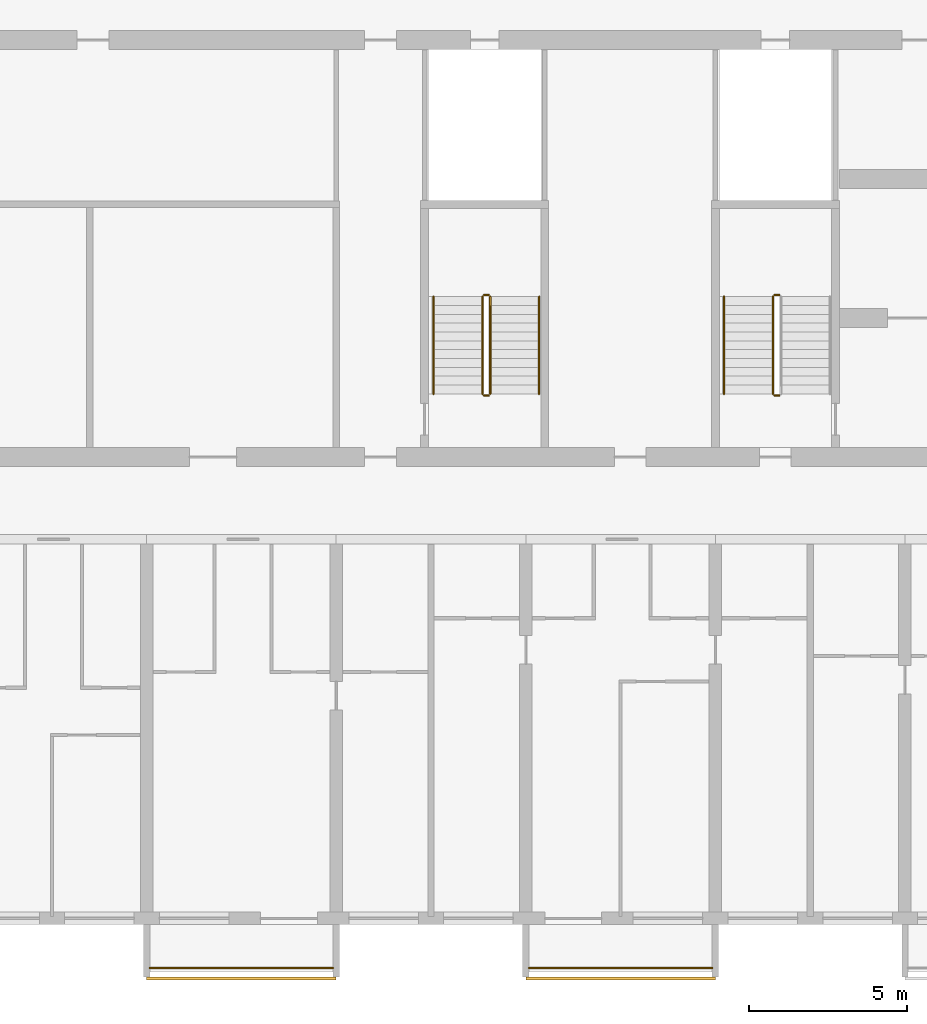
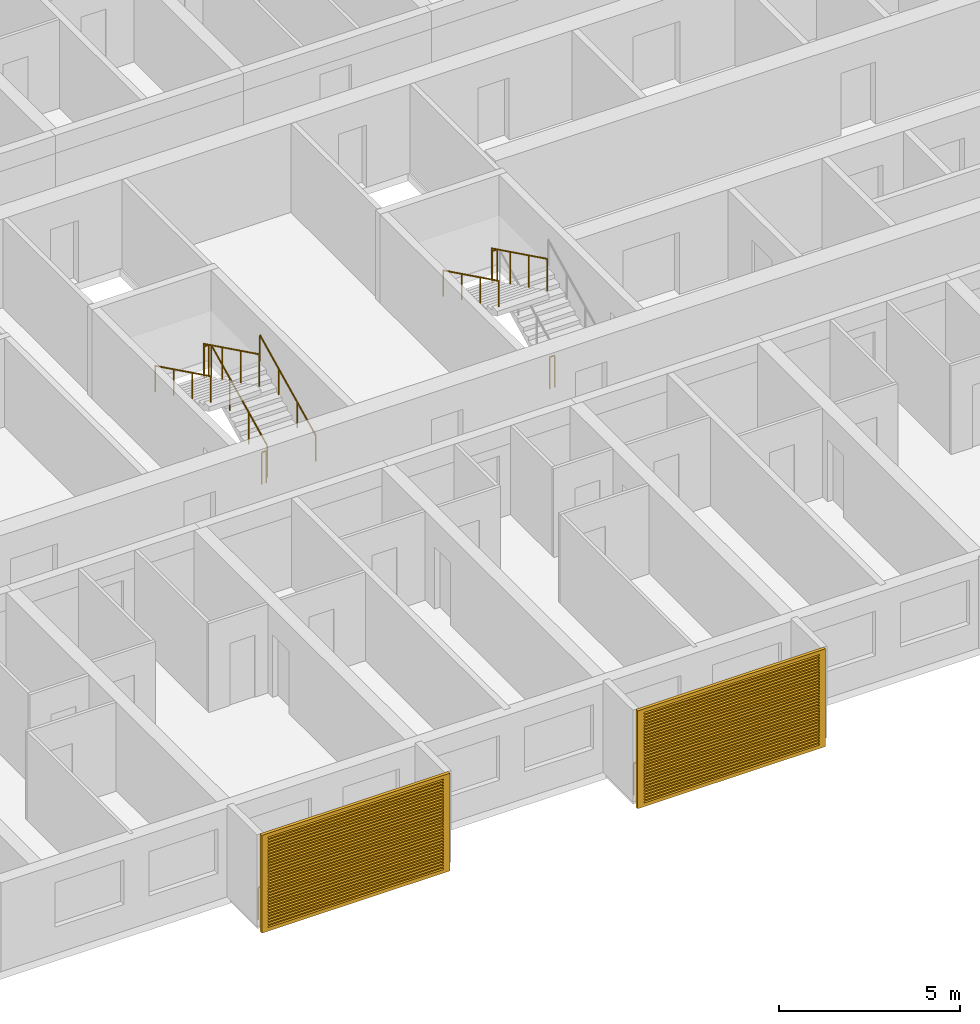
# One storey, part 19 of 38: 12 railings, 2 shading devices.
"""IFC4 building model written with IfcOpenShell, lengths in metres."""

from ifc_helpers import new_model, si_unit, direction, frame, origin, origin_2d, place, context, subcontext, project, spatial, polyline, circle, outline, extrude, source, transform, mapped, material, material_profile, profile_set, type_object, element, save


model = new_model("IFC4")

# Units and contexts
model_context = context("Model", 3, precision=1e-05, world=origin(), true_north=direction((0.0, 1.0)))
body_context = subcontext(model_context, "Body", "Model", "MODEL_VIEW")
ifc_project = project(units=[si_unit("LENGTHUNIT", "METRE"), si_unit("AREAUNIT", "SQUARE_METRE"), si_unit("VOLUMEUNIT", "CUBIC_METRE"), si_unit("PLANEANGLEUNIT", "RADIAN"), si_unit("MASSUNIT", "GRAM", prefix="KILO")], contexts=[model_context])

# Site, building, storey
site_placement = place(None, origin())
site = spatial("IfcSite", under=ifc_project, at=site_placement, CompositionType="ELEMENT")
building_placement = place(site_placement, origin())
building = spatial("IfcBuilding", under=site, at=building_placement, Name="Poui Terraces", CompositionType="ELEMENT")
storey_placement = place(building_placement, frame((0.0, 0.0, 49.800048828125)))
storey = spatial("IfcBuildingStorey", under=building, at=storey_placement, Name="L13", CompositionType="ELEMENT", Elevation=49.800048828125)

# Railings
ifc_material_1 = material(Name="Painted steel fretwork", Category="steel")
railing_type_1 = type_object("IfcRailingType", Name="BALCONY GUARD 1100", PredefinedType="GUARDRAIL", material=ifc_material_1)
for number, where, name in (
    (1, (12.10009765625, -1.570068359375, 0.0), "BALCONY GUARD"),
    (2, (24.10009765625, -1.570068359375, 0.0), "BALCONY GUARD"),
):
    element("IfcRailing", number, at=place(storey_placement, frame(where)), inside=storey, type_object=railing_type_1, Name=name, PredefinedType="GUARDRAIL", context=body_context, shape_type="SweptSolid", body=[
        extrude(circle(Radius=0.02392578125, at=origin_2d()), frame((0.0, 0.0, 1.076171875), z_axis=(1.0, 0.0, 0.0), x_axis=(0.0, 1.0, 0.0)), (0.0, 0.0, 1.0), 5.7998046875),
        extrude(circle(Radius=0.02099609375, at=origin_2d()), origin(), (0.0, 0.0, 1.0), 1.052001953125),
        extrude(circle(Radius=0.02099609375, at=origin_2d()), frame((0.966552734375, 0.0, 0.0)), (0.0, 0.0, 1.0), 1.052001953125),
        extrude(circle(Radius=0.02099609375, at=origin_2d()), frame((1.933349609375, 0.0, 0.0)), (0.0, 0.0, 1.0), 1.052001953125),
        extrude(circle(Radius=0.02099609375, at=origin_2d()), frame((2.89990234375, 0.0, 0.0)), (0.0, 0.0, 1.0), 1.052001953125),
        extrude(circle(Radius=0.02099609375, at=origin_2d()), frame((3.866455078125, 0.0, 0.0)), (0.0, 0.0, 1.0), 1.052001953125),
        extrude(circle(Radius=0.02099609375, at=origin_2d()), frame((4.833251953125, 0.0, 0.0)), (0.0, 0.0, 1.0), 1.052001953125),
        extrude(circle(Radius=0.02099609375, at=origin_2d()), frame((5.7998046875, 0.0, 0.0)), (0.0, 0.0, 1.0), 1.052001953125),
    ])
ifc_material_2 = material(Name="Galvanised steel balustrade", Category="steel")
railing_type_2 = type_object("IfcRailingType", Name="STAIR GUARD 1100", PredefinedType="GUARDRAIL", material=ifc_material_2)
railing_1_placement = place(storey_placement, frame((32.02490234375, 19.72998046875, 1.64990234375)))
element("IfcRailing", 3, at=railing_1_placement, inside=storey, type_object=railing_type_2, Name="L13 ST-CW stair guard 2", PredefinedType="GUARDRAIL", context=body_context, shape_type="SweptSolid", body=[
    extrude(circle(Radius=0.02392578125, at=origin_2d()), frame((0.0, 0.0, 1.076171875), z_axis=(-1.0, 0.0, 0.0), x_axis=(0.0, -1.0, 0.0)), (0.0, 0.0, 1.0), 0.14990234375),
    extrude(circle(Radius=0.02099609375, at=origin_2d()), origin(), (0.0, 0.0, 1.0), 1.052001953125),
    extrude(circle(Radius=0.02099609375, at=origin_2d()), frame((-0.14990234375, 0.0, 0.0)), (0.0, 0.0, 1.0), 1.052001953125),
])
railing_2_placement = place(storey_placement, frame((31.824951171875, 19.679931640625, 1.787353515625)))
element("IfcRailing", 4, at=railing_2_placement, inside=storey, type_object=railing_type_2, Name="L13 ST-CW stair guard 3", PredefinedType="GUARDRAIL", context=body_context, shape_type="SweptSolid", body=[
    extrude(circle(Radius=0.02392578125, at=origin_2d()), frame((0.0, 0.0, 1.076171875), z_axis=(0.0, -0.897578036475, 0.440855609512), x_axis=(1.0, 0.0, 0.0)), (0.0, 0.0, 1.0), 3.43115234375),
    extrude(circle(Radius=0.02099609375, at=origin_2d()), origin(), (0.0, 0.0, 1.0), 1.052001953125),
    extrude(circle(Radius=0.02099609375, at=origin_2d()), frame((0.0, -1.026611328125, 0.504150390625)), (0.0, 0.0, 1.0), 1.052001953125),
    extrude(circle(Radius=0.02099609375, at=origin_2d()), frame((0.0, -2.05322265625, 1.008544921875)), (0.0, 0.0, 1.0), 1.052001953125),
    extrude(circle(Radius=0.02099609375, at=origin_2d()), frame((0.0, -3.079833984375, 1.5126953125)), (0.0, 0.0, 1.0), 1.052001953125),
])
railing_3_placement = place(storey_placement, frame((32.02490234375, 16.550048828125, 0.0)))
element("IfcRailing", 5, at=railing_3_placement, inside=storey, type_object=railing_type_2, Name="L13 ST-CW stair guard 4", PredefinedType="GUARDRAIL", context=body_context, shape_type="SweptSolid", body=[
    extrude(circle(Radius=0.02392578125, at=origin_2d()), frame((0.0, 0.0, 1.076171875), z_axis=(-1.0, 0.0, 0.0), x_axis=(0.0, -1.0, 0.0)), (0.0, 0.0, 1.0), 0.14990234375),
    extrude(circle(Radius=0.02099609375, at=origin_2d()), origin(), (0.0, 0.0, 1.0), 1.052001953125),
    extrude(circle(Radius=0.02099609375, at=origin_2d()), frame((-0.14990234375, 0.0, 0.0)), (0.0, 0.0, 1.0), 1.052001953125),
])
railing_4_placement = place(storey_placement, frame((22.875, 16.60009765625, 0.137451171875)))
element("IfcRailing", 6, at=railing_4_placement, inside=storey, type_object=railing_type_2, Name="L13 ST-W stair guard 1", PredefinedType="GUARDRAIL", context=body_context, shape_type="SweptSolid", body=[
    extrude(circle(Radius=0.02392578125, at=origin_2d()), frame((0.0, 0.0, 1.076171875), z_axis=(0.0, 0.897606190399, 0.440798283751), x_axis=(-1.0, 0.0, 0.0)), (0.0, 0.0, 1.0), 3.43115234375),
    extrude(circle(Radius=0.02099609375, at=origin_2d()), origin(), (0.0, 0.0, 1.0), 1.052001953125),
    extrude(circle(Radius=0.02099609375, at=origin_2d()), frame((0.0, 1.026611328125, 0.504150390625)), (0.0, 0.0, 1.0), 1.052001953125),
    extrude(circle(Radius=0.02099609375, at=origin_2d()), frame((0.0, 2.05322265625, 1.00830078125)), (0.0, 0.0, 1.0), 1.052001953125),
    extrude(circle(Radius=0.02099609375, at=origin_2d()), frame((0.0, 3.079833984375, 1.512451171875)), (0.0, 0.0, 1.0), 1.052001953125),
])
railing_5_placement = place(storey_placement, frame((22.824951171875, 19.72998046875, 1.64990234375)))
element("IfcRailing", 7, at=railing_5_placement, inside=storey, type_object=railing_type_2, Name="L13 ST-W stair guard 2", PredefinedType="GUARDRAIL", context=body_context, shape_type="SweptSolid", body=[
    extrude(circle(Radius=0.02392578125, at=origin_2d()), frame((0.0, 0.0, 1.076171875), z_axis=(-1.0, 0.0, 0.0), x_axis=(0.0, -1.0, 0.0)), (0.0, 0.0, 1.0), 0.14990234375),
    extrude(circle(Radius=0.02099609375, at=origin_2d()), origin(), (0.0, 0.0, 1.0), 1.052001953125),
    extrude(circle(Radius=0.02099609375, at=origin_2d()), frame((-0.14990234375, 0.0, 0.0)), (0.0, 0.0, 1.0), 1.052001953125),
])
railing_6_placement = place(storey_placement, frame((22.625, 19.679931640625, 1.787353515625)))
element("IfcRailing", 8, at=railing_6_placement, inside=storey, type_object=railing_type_2, Name="L13 ST-W stair guard 3", PredefinedType="GUARDRAIL", context=body_context, shape_type="SweptSolid", body=[
    extrude(circle(Radius=0.02392578125, at=origin_2d()), frame((0.0, 0.0, 1.076171875), z_axis=(0.0, -0.897578036475, 0.440855609512), x_axis=(1.0, 0.0, 0.0)), (0.0, 0.0, 1.0), 3.43115234375),
    extrude(circle(Radius=0.02099609375, at=origin_2d()), origin(), (0.0, 0.0, 1.0), 1.052001953125),
    extrude(circle(Radius=0.02099609375, at=origin_2d()), frame((0.0, -1.026611328125, 0.504150390625)), (0.0, 0.0, 1.0), 1.052001953125),
    extrude(circle(Radius=0.02099609375, at=origin_2d()), frame((0.0, -2.05322265625, 1.008544921875)), (0.0, 0.0, 1.0), 1.052001953125),
    extrude(circle(Radius=0.02099609375, at=origin_2d()), frame((0.0, -3.079833984375, 1.5126953125)), (0.0, 0.0, 1.0), 1.052001953125),
])
railing_7_placement = place(storey_placement, frame((22.824951171875, 16.550048828125, 0.0)))
element("IfcRailing", 9, at=railing_7_placement, inside=storey, type_object=railing_type_2, Name="L13 ST-W stair guard 4", PredefinedType="GUARDRAIL", context=body_context, shape_type="SweptSolid", body=[
    extrude(circle(Radius=0.02392578125, at=origin_2d()), frame((0.0, 0.0, 1.076171875), z_axis=(-1.0, 0.0, 0.0), x_axis=(0.0, -1.0, 0.0)), (0.0, 0.0, 1.0), 0.14990234375),
    extrude(circle(Radius=0.02099609375, at=origin_2d()), origin(), (0.0, 0.0, 1.0), 1.052001953125),
    extrude(circle(Radius=0.02099609375, at=origin_2d()), frame((-0.14990234375, 0.0, 0.0)), (0.0, 0.0, 1.0), 1.052001953125),
])
ifc_material_3 = material(Name="Stainless steel handrail", Category="steel")
railing_type_3 = type_object("IfcRailingType", Name="STAIR HANDRAIL 900", PredefinedType="HANDRAIL", material=ifc_material_3)
railing_8_placement = place(storey_placement, frame((30.27490234375, 19.679931640625, 1.787353515625)))
element("IfcRailing", 10, at=railing_8_placement, inside=storey, type_object=railing_type_3, Name="L13 ST-CW stair handrail 2", PredefinedType="HANDRAIL", context=body_context, shape_type="SweptSolid", body=[
    extrude(circle(Radius=0.02392578125, at=origin_2d()), frame((0.0, 0.0, 0.8759765625), z_axis=(0.0, -0.897578036475, 0.440855609512), x_axis=(1.0, 0.0, 0.0)), (0.0, 0.0, 1.0), 3.43115234375),
    extrude(circle(Radius=0.02099609375, at=origin_2d()), origin(), (0.0, 0.0, 1.0), 0.851806640625),
    extrude(circle(Radius=0.02099609375, at=origin_2d()), frame((0.0, -1.026611328125, 0.504150390625)), (0.0, 0.0, 1.0), 0.851806640625),
    extrude(circle(Radius=0.02099609375, at=origin_2d()), frame((0.0, -2.05322265625, 1.008544921875)), (0.0, 0.0, 1.0), 0.851806640625),
    extrude(circle(Radius=0.02099609375, at=origin_2d()), frame((0.0, -3.079833984375, 1.5126953125)), (0.0, 0.0, 1.0), 0.851806640625),
])
railing_9_placement = place(storey_placement, frame((24.425048828125, 16.60009765625, 0.137451171875)))
element("IfcRailing", 11, at=railing_9_placement, inside=storey, type_object=railing_type_3, Name="L13 ST-W stair handrail 1", PredefinedType="HANDRAIL", context=body_context, shape_type="SweptSolid", body=[
    extrude(circle(Radius=0.02392578125, at=origin_2d()), frame((0.0, 0.0, 0.8759765625), z_axis=(0.0, 0.897606190399, 0.440798283751), x_axis=(-1.0, 0.0, 0.0)), (0.0, 0.0, 1.0), 3.43115234375),
    extrude(circle(Radius=0.02099609375, at=origin_2d()), origin(), (0.0, 0.0, 1.0), 0.851806640625),
    extrude(circle(Radius=0.02099609375, at=origin_2d()), frame((0.0, 1.026611328125, 0.504150390625)), (0.0, 0.0, 1.0), 0.851806640625),
    extrude(circle(Radius=0.02099609375, at=origin_2d()), frame((0.0, 2.05322265625, 1.00830078125)), (0.0, 0.0, 1.0), 0.851806640625),
    extrude(circle(Radius=0.02099609375, at=origin_2d()), frame((0.0, 3.079833984375, 1.512451171875)), (0.0, 0.0, 1.0), 0.851806640625),
])
railing_10_placement = place(storey_placement, frame((21.074951171875, 19.679931640625, 1.787353515625)))
element("IfcRailing", 12, at=railing_10_placement, inside=storey, type_object=railing_type_3, Name="L13 ST-W stair handrail 2", PredefinedType="HANDRAIL", context=body_context, shape_type="SweptSolid", body=[
    extrude(circle(Radius=0.02392578125, at=origin_2d()), frame((0.0, 0.0, 0.8759765625), z_axis=(0.0, -0.897578036475, 0.440855609512), x_axis=(1.0, 0.0, 0.0)), (0.0, 0.0, 1.0), 3.43115234375),
    extrude(circle(Radius=0.02099609375, at=origin_2d()), origin(), (0.0, 0.0, 1.0), 0.851806640625),
    extrude(circle(Radius=0.02099609375, at=origin_2d()), frame((0.0, -1.026611328125, 0.504150390625)), (0.0, 0.0, 1.0), 0.851806640625),
    extrude(circle(Radius=0.02099609375, at=origin_2d()), frame((0.0, -2.05322265625, 1.008544921875)), (0.0, 0.0, 1.0), 0.851806640625),
    extrude(circle(Radius=0.02099609375, at=origin_2d()), frame((0.0, -3.079833984375, 1.5126953125)), (0.0, 0.0, 1.0), 0.851806640625),
])

# Shading devices
ifc_material_4 = material(Name="Aluminium louvre", Category="aluminium")
ifc_material_profile = material_profile(ifc_material_4, outline(polyline([(-3.0, -1.64990234375), (3.0, -1.64990234375), (3.0, 1.64990234375), (-3.0, 1.64990234375), (-3.0, -1.64990234375)]), holes=[polyline([(-2.800048828125, -1.530029296875), (2.800048828125, -1.530029296875), (2.800048828125, -1.469970703125), (-2.800048828125, -1.469970703125), (-2.800048828125, -1.530029296875)]), polyline([(-2.800048828125, -1.429931640625), (2.800048828125, -1.429931640625), (2.800048828125, -1.3701171875), (-2.800048828125, -1.3701171875), (-2.800048828125, -1.429931640625)]), polyline([(-2.800048828125, -1.330078125), (2.800048828125, -1.330078125), (2.800048828125, -1.27001953125), (-2.800048828125, -1.27001953125), (-2.800048828125, -1.330078125)]), polyline([(-2.800048828125, -1.22998046875), (2.800048828125, -1.22998046875), (2.800048828125, -1.169921875), (-2.800048828125, -1.169921875), (-2.800048828125, -1.22998046875)]), polyline([(-2.800048828125, -1.1298828125), (2.800048828125, -1.1298828125), (2.800048828125, -1.070068359375), (-2.800048828125, -1.070068359375), (-2.800048828125, -1.1298828125)]), polyline([(-2.800048828125, -1.030029296875), (2.800048828125, -1.030029296875), (2.800048828125, -0.969970703125), (-2.800048828125, -0.969970703125), (-2.800048828125, -1.030029296875)]), polyline([(-2.800048828125, -0.929931640625), (2.800048828125, -0.929931640625), (2.800048828125, -0.8701171875), (-2.800048828125, -0.8701171875), (-2.800048828125, -0.929931640625)]), polyline([(-2.800048828125, -0.830078125), (2.800048828125, -0.830078125), (2.800048828125, -0.77001953125), (-2.800048828125, -0.77001953125), (-2.800048828125, -0.830078125)]), polyline([(-2.800048828125, -0.72998046875), (2.800048828125, -0.72998046875), (2.800048828125, -0.669921875), (-2.800048828125, -0.669921875), (-2.800048828125, -0.72998046875)]), polyline([(-2.800048828125, -0.6298828125), (2.800048828125, -0.6298828125), (2.800048828125, -0.570068359375), (-2.800048828125, -0.570068359375), (-2.800048828125, -0.6298828125)]), polyline([(-2.800048828125, -0.530029296875), (2.800048828125, -0.530029296875), (2.800048828125, -0.469970703125), (-2.800048828125, -0.469970703125), (-2.800048828125, -0.530029296875)]), polyline([(-2.800048828125, -0.429931640625), (2.800048828125, -0.429931640625), (2.800048828125, -0.3701171875), (-2.800048828125, -0.3701171875), (-2.800048828125, -0.429931640625)]), polyline([(-2.800048828125, -0.330078125), (2.800048828125, -0.330078125), (2.800048828125, -0.27001953125), (-2.800048828125, -0.27001953125), (-2.800048828125, -0.330078125)]), polyline([(-2.800048828125, -0.22998046875), (2.800048828125, -0.22998046875), (2.800048828125, -0.169921875), (-2.800048828125, -0.169921875), (-2.800048828125, -0.22998046875)]), polyline([(-2.800048828125, -0.1298828125), (2.800048828125, -0.1298828125), (2.800048828125, -0.070068359375), (-2.800048828125, -0.070068359375), (-2.800048828125, -0.1298828125)]), polyline([(-2.800048828125, -0.030029296875), (2.800048828125, -0.030029296875), (2.800048828125, 0.030029296875), (-2.800048828125, 0.030029296875), (-2.800048828125, -0.030029296875)]), polyline([(-2.800048828125, 0.070068359375), (2.800048828125, 0.070068359375), (2.800048828125, 0.1298828125), (-2.800048828125, 0.1298828125), (-2.800048828125, 0.070068359375)]), polyline([(-2.800048828125, 0.169921875), (2.800048828125, 0.169921875), (2.800048828125, 0.22998046875), (-2.800048828125, 0.22998046875), (-2.800048828125, 0.169921875)]), polyline([(-2.800048828125, 0.27001953125), (2.800048828125, 0.27001953125), (2.800048828125, 0.330078125), (-2.800048828125, 0.330078125), (-2.800048828125, 0.27001953125)]), polyline([(-2.800048828125, 0.3701171875), (2.800048828125, 0.3701171875), (2.800048828125, 0.429931640625), (-2.800048828125, 0.429931640625), (-2.800048828125, 0.3701171875)]), polyline([(-2.800048828125, 0.469970703125), (2.800048828125, 0.469970703125), (2.800048828125, 0.530029296875), (-2.800048828125, 0.530029296875), (-2.800048828125, 0.469970703125)]), polyline([(-2.800048828125, 0.570068359375), (2.800048828125, 0.570068359375), (2.800048828125, 0.6298828125), (-2.800048828125, 0.6298828125), (-2.800048828125, 0.570068359375)]), polyline([(-2.800048828125, 0.669921875), (2.800048828125, 0.669921875), (2.800048828125, 0.72998046875), (-2.800048828125, 0.72998046875), (-2.800048828125, 0.669921875)]), polyline([(-2.800048828125, 0.77001953125), (2.800048828125, 0.77001953125), (2.800048828125, 0.830078125), (-2.800048828125, 0.830078125), (-2.800048828125, 0.77001953125)]), polyline([(-2.800048828125, 0.8701171875), (2.800048828125, 0.8701171875), (2.800048828125, 0.929931640625), (-2.800048828125, 0.929931640625), (-2.800048828125, 0.8701171875)]), polyline([(-2.800048828125, 0.969970703125), (2.800048828125, 0.969970703125), (2.800048828125, 1.030029296875), (-2.800048828125, 1.030029296875), (-2.800048828125, 0.969970703125)]), polyline([(-2.800048828125, 1.070068359375), (2.800048828125, 1.070068359375), (2.800048828125, 1.1298828125), (-2.800048828125, 1.1298828125), (-2.800048828125, 1.070068359375)]), polyline([(-2.800048828125, 1.169921875), (2.800048828125, 1.169921875), (2.800048828125, 1.22998046875), (-2.800048828125, 1.22998046875), (-2.800048828125, 1.169921875)]), polyline([(-2.800048828125, 1.27001953125), (2.800048828125, 1.27001953125), (2.800048828125, 1.330078125), (-2.800048828125, 1.330078125), (-2.800048828125, 1.27001953125)]), polyline([(-2.800048828125, 1.3701171875), (2.800048828125, 1.3701171875), (2.800048828125, 1.429931640625), (-2.800048828125, 1.429931640625), (-2.800048828125, 1.3701171875)]), polyline([(-2.800048828125, 1.469970703125), (2.800048828125, 1.469970703125), (2.800048828125, 1.530029296875), (-2.800048828125, 1.530029296875), (-2.800048828125, 1.469970703125)])]), Name="JALOUSIE LOUVRE SHUTTER 6000X3300")
ifc_profile_set = profile_set([ifc_material_profile], Name="Aluminium louvre")
shading_device_type = type_object("IfcShadingDeviceType", Name="JALOUSIE LOUVRE SHUTTER 6000X3300", PredefinedType="JALOUSIE", material=ifc_profile_set)
shared_shape = source(origin(), body_context, "Body", "SweptSolid", [
    extrude(outline(polyline([(-3.0, -1.64990234375), (3.0, -1.64990234375), (3.0, 1.64990234375), (-3.0, 1.64990234375), (-3.0, -1.64990234375)]), holes=[polyline([(-2.800048828125, -1.530029296875), (2.800048828125, -1.530029296875), (2.800048828125, -1.469970703125), (-2.800048828125, -1.469970703125), (-2.800048828125, -1.530029296875)]), polyline([(-2.800048828125, -1.429931640625), (2.800048828125, -1.429931640625), (2.800048828125, -1.3701171875), (-2.800048828125, -1.3701171875), (-2.800048828125, -1.429931640625)]), polyline([(-2.800048828125, -1.330078125), (2.800048828125, -1.330078125), (2.800048828125, -1.27001953125), (-2.800048828125, -1.27001953125), (-2.800048828125, -1.330078125)]), polyline([(-2.800048828125, -1.22998046875), (2.800048828125, -1.22998046875), (2.800048828125, -1.169921875), (-2.800048828125, -1.169921875), (-2.800048828125, -1.22998046875)]), polyline([(-2.800048828125, -1.1298828125), (2.800048828125, -1.1298828125), (2.800048828125, -1.070068359375), (-2.800048828125, -1.070068359375), (-2.800048828125, -1.1298828125)]), polyline([(-2.800048828125, -1.030029296875), (2.800048828125, -1.030029296875), (2.800048828125, -0.969970703125), (-2.800048828125, -0.969970703125), (-2.800048828125, -1.030029296875)]), polyline([(-2.800048828125, -0.929931640625), (2.800048828125, -0.929931640625), (2.800048828125, -0.8701171875), (-2.800048828125, -0.8701171875), (-2.800048828125, -0.929931640625)]), polyline([(-2.800048828125, -0.830078125), (2.800048828125, -0.830078125), (2.800048828125, -0.77001953125), (-2.800048828125, -0.77001953125), (-2.800048828125, -0.830078125)]), polyline([(-2.800048828125, -0.72998046875), (2.800048828125, -0.72998046875), (2.800048828125, -0.669921875), (-2.800048828125, -0.669921875), (-2.800048828125, -0.72998046875)]), polyline([(-2.800048828125, -0.6298828125), (2.800048828125, -0.6298828125), (2.800048828125, -0.570068359375), (-2.800048828125, -0.570068359375), (-2.800048828125, -0.6298828125)]), polyline([(-2.800048828125, -0.530029296875), (2.800048828125, -0.530029296875), (2.800048828125, -0.469970703125), (-2.800048828125, -0.469970703125), (-2.800048828125, -0.530029296875)]), polyline([(-2.800048828125, -0.429931640625), (2.800048828125, -0.429931640625), (2.800048828125, -0.3701171875), (-2.800048828125, -0.3701171875), (-2.800048828125, -0.429931640625)]), polyline([(-2.800048828125, -0.330078125), (2.800048828125, -0.330078125), (2.800048828125, -0.27001953125), (-2.800048828125, -0.27001953125), (-2.800048828125, -0.330078125)]), polyline([(-2.800048828125, -0.22998046875), (2.800048828125, -0.22998046875), (2.800048828125, -0.169921875), (-2.800048828125, -0.169921875), (-2.800048828125, -0.22998046875)]), polyline([(-2.800048828125, -0.1298828125), (2.800048828125, -0.1298828125), (2.800048828125, -0.070068359375), (-2.800048828125, -0.070068359375), (-2.800048828125, -0.1298828125)]), polyline([(-2.800048828125, -0.030029296875), (2.800048828125, -0.030029296875), (2.800048828125, 0.030029296875), (-2.800048828125, 0.030029296875), (-2.800048828125, -0.030029296875)]), polyline([(-2.800048828125, 0.070068359375), (2.800048828125, 0.070068359375), (2.800048828125, 0.1298828125), (-2.800048828125, 0.1298828125), (-2.800048828125, 0.070068359375)]), polyline([(-2.800048828125, 0.169921875), (2.800048828125, 0.169921875), (2.800048828125, 0.22998046875), (-2.800048828125, 0.22998046875), (-2.800048828125, 0.169921875)]), polyline([(-2.800048828125, 0.27001953125), (2.800048828125, 0.27001953125), (2.800048828125, 0.330078125), (-2.800048828125, 0.330078125), (-2.800048828125, 0.27001953125)]), polyline([(-2.800048828125, 0.3701171875), (2.800048828125, 0.3701171875), (2.800048828125, 0.429931640625), (-2.800048828125, 0.429931640625), (-2.800048828125, 0.3701171875)]), polyline([(-2.800048828125, 0.469970703125), (2.800048828125, 0.469970703125), (2.800048828125, 0.530029296875), (-2.800048828125, 0.530029296875), (-2.800048828125, 0.469970703125)]), polyline([(-2.800048828125, 0.570068359375), (2.800048828125, 0.570068359375), (2.800048828125, 0.6298828125), (-2.800048828125, 0.6298828125), (-2.800048828125, 0.570068359375)]), polyline([(-2.800048828125, 0.669921875), (2.800048828125, 0.669921875), (2.800048828125, 0.72998046875), (-2.800048828125, 0.72998046875), (-2.800048828125, 0.669921875)]), polyline([(-2.800048828125, 0.77001953125), (2.800048828125, 0.77001953125), (2.800048828125, 0.830078125), (-2.800048828125, 0.830078125), (-2.800048828125, 0.77001953125)]), polyline([(-2.800048828125, 0.8701171875), (2.800048828125, 0.8701171875), (2.800048828125, 0.929931640625), (-2.800048828125, 0.929931640625), (-2.800048828125, 0.8701171875)]), polyline([(-2.800048828125, 0.969970703125), (2.800048828125, 0.969970703125), (2.800048828125, 1.030029296875), (-2.800048828125, 1.030029296875), (-2.800048828125, 0.969970703125)]), polyline([(-2.800048828125, 1.070068359375), (2.800048828125, 1.070068359375), (2.800048828125, 1.1298828125), (-2.800048828125, 1.1298828125), (-2.800048828125, 1.070068359375)]), polyline([(-2.800048828125, 1.169921875), (2.800048828125, 1.169921875), (2.800048828125, 1.22998046875), (-2.800048828125, 1.22998046875), (-2.800048828125, 1.169921875)]), polyline([(-2.800048828125, 1.27001953125), (2.800048828125, 1.27001953125), (2.800048828125, 1.330078125), (-2.800048828125, 1.330078125), (-2.800048828125, 1.27001953125)]), polyline([(-2.800048828125, 1.3701171875), (2.800048828125, 1.3701171875), (2.800048828125, 1.429931640625), (-2.800048828125, 1.429931640625), (-2.800048828125, 1.3701171875)]), polyline([(-2.800048828125, 1.469970703125), (2.800048828125, 1.469970703125), (2.800048828125, 1.530029296875), (-2.800048828125, 1.530029296875), (-2.800048828125, 1.469970703125)])]), origin(), (0.0, 0.0, 1.0), 0.099853515625),
])
for number, where, z_axis, x_axis, name in (
    (13, (15.0, -1.85009765625, 1.449951171875), (0.0, -1.0, 0.0), (1.0, 0.0, 0.0), "JALOUSIE LOUVRE SHUTTER"),
    (14, (27.0, -1.85009765625, 1.449951171875), (0.0, -1.0, 0.0), (1.0, 0.0, 0.0), "JALOUSIE LOUVRE SHUTTER"),
):
    element("IfcShadingDevice", number, at=place(storey_placement, frame(where, z_axis=z_axis, x_axis=x_axis)), inside=storey, type_object=shading_device_type, Name=name, PredefinedType="JALOUSIE", context=body_context, shape_type="MappedRepresentation", body=[
        mapped(shared_shape, transform((0.0, 0.0, 0.0))),
    ])

save(model, "model.ifc")
